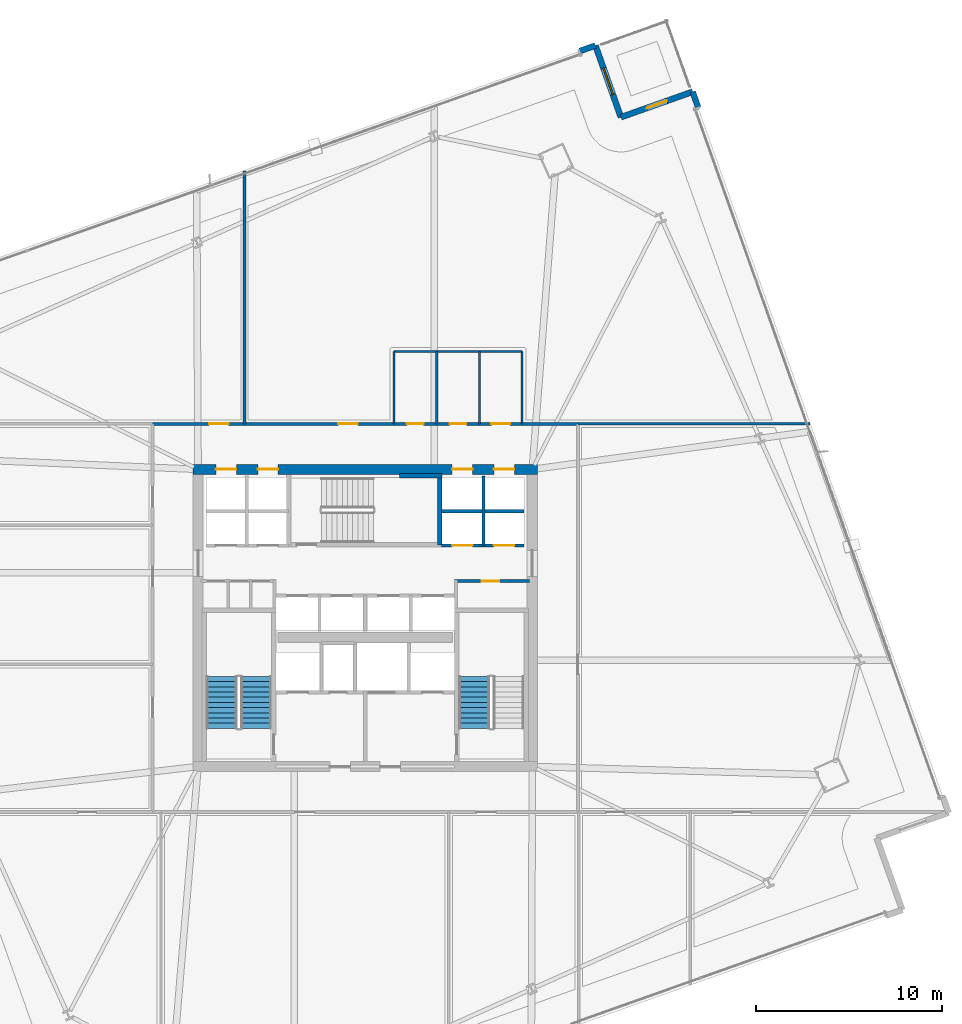
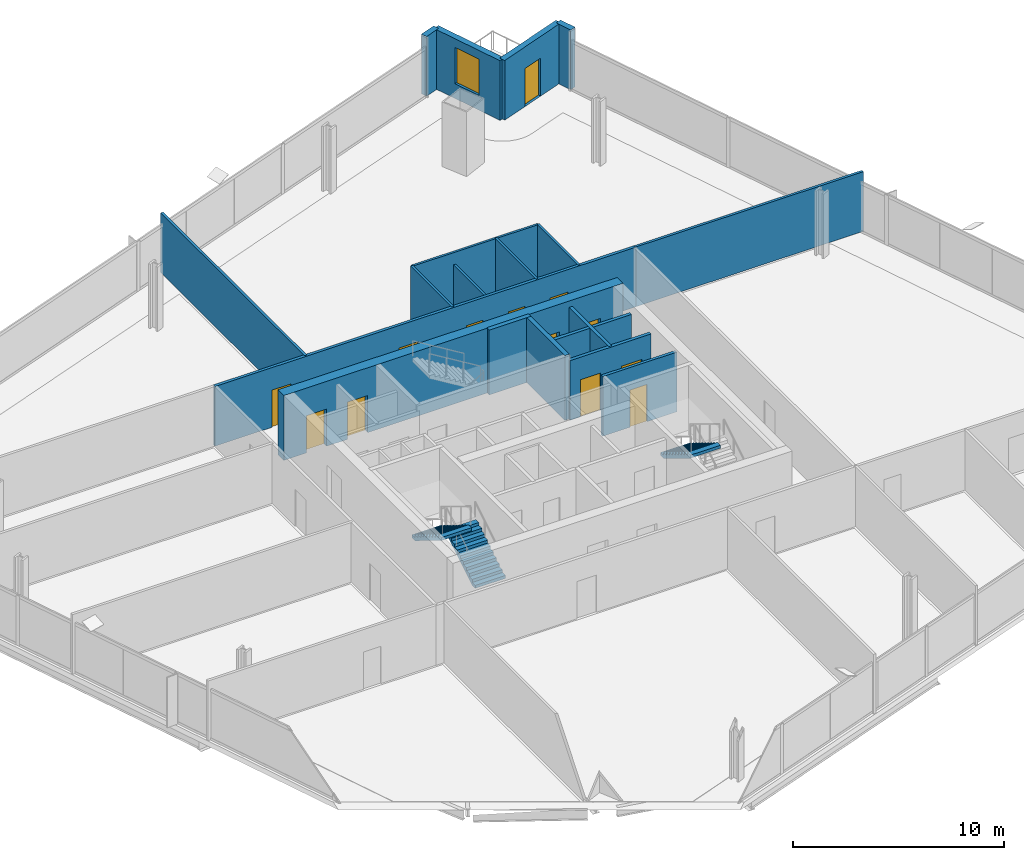
# One storey, part 27 of 33: 19 walls, 13 doors, 3 stair flights, 1 window, 14 openings, 2 elements without a shape of their own.
"""IFC4 building model written with IfcOpenShell, lengths in metres."""

from ifc_helpers import new_model, si_unit, direction, frame, frame_2d, origin, place, context, subcontext, project, spatial, polyline, rectangle, outline, extrude, material, layer, layer_set, type_object, element, fill, aggregate, save


model = new_model("IFC4")

# Units and contexts
model_context = context("Model", 3, precision=1e-05, world=origin(), true_north=direction((0.0, 1.0)))
body_context = subcontext(model_context, "Body", "Model", "MODEL_VIEW")
ifc_project = project(units=[si_unit("LENGTHUNIT", "METRE"), si_unit("AREAUNIT", "SQUARE_METRE"), si_unit("VOLUMEUNIT", "CUBIC_METRE"), si_unit("PLANEANGLEUNIT", "RADIAN"), si_unit("MASSUNIT", "GRAM", prefix="KILO")], contexts=[model_context])

# Site, building, storey
site_placement = place(None, origin())
site = spatial("IfcSite", under=ifc_project, at=site_placement, CompositionType="ELEMENT")
building_placement = place(site_placement, origin())
building = spatial("IfcBuilding", under=site, at=building_placement, Name="Haldenkirk Collegiate Tower", CompositionType="ELEMENT")
storey_placement = place(building_placement, frame((0.0, 0.0, 94.199951171875)))
storey = spatial("IfcBuildingStorey", under=building, at=storey_placement, Name="L22", CompositionType="ELEMENT", Elevation=94.199951171875)

# Wall, openings, doors
ifc_material_1 = material(Name="Concrete f'c 70 MPa", Category="concrete")
ifc_layer_1 = layer(ifc_material_1, 0.550048828125)
ifc_layer_set_1 = layer_set([ifc_layer_1], Name="Concrete f'c 70 MPa")
wall_type_1 = type_object("IfcWallType", Name="WL-CORE-550", PredefinedType="SHEAR", material=ifc_layer_set_1)
wall_1_placement = place(storey_placement, frame((26.72509765625, 34.0, 0.0), z_axis=(0.0, 0.0, 1.0), x_axis=(1.0, 0.0, 0.0)))
wall_1 = element("IfcWall", 1, at=wall_1_placement, inside=storey, type_object=wall_type_1, Name="L22 central core shear wall N", PredefinedType="SHEAR", context=body_context, shape_type="SweptSolid", body=[
    extrude(rectangle(XDim=18.5498046875, YDim=0.550048828125, at=frame_2d((9.27490234375, 0.0))), origin(), (0.0, 0.0, 1.0), 3.75),
])
opening_1_placement = place(wall_1_placement, frame((1.239990234375, 0.0, 0.0)))
opening_1 = element("IfcOpeningElement", 2, at=opening_1_placement, cuts=wall_1, Name="Opening LD-11", PredefinedType="OPENING", context=body_context, shape_type="SweptSolid", body=[
    extrude(rectangle(XDim=1.10009765625, YDim=2.14990234375, at=frame_2d((0.550048828125, 1.074951171875))), frame((0.0, 0.284912109375, 0.0), z_axis=(0.0, -1.0, 0.0), x_axis=(1.0, 0.0, 0.0)), (0.0, 0.0, 1.0), 0.570068359375),
])
opening_2_placement = place(wall_1_placement, frame((3.489990234375, 0.0, 0.0)))
opening_2 = element("IfcOpeningElement", 3, at=opening_2_placement, cuts=wall_1, Name="Opening LD-11", PredefinedType="OPENING", context=body_context, shape_type="SweptSolid", body=[
    extrude(rectangle(XDim=1.10009765625, YDim=2.14990234375, at=frame_2d((0.550048828125, 1.074951171875))), frame((0.0, 0.284912109375, 0.0), z_axis=(0.0, -1.0, 0.0), x_axis=(1.0, 0.0, 0.0)), (0.0, 0.0, 1.0), 0.570068359375),
])
opening_3_placement = place(wall_1_placement, frame((13.9599609375, 0.0, 0.0)))
opening_3 = element("IfcOpeningElement", 4, at=opening_3_placement, cuts=wall_1, Name="Opening LD-11", PredefinedType="OPENING", context=body_context, shape_type="SweptSolid", body=[
    extrude(rectangle(XDim=1.10009765625, YDim=2.14990234375, at=frame_2d((0.550048828125, 1.074951171875))), frame((0.0, 0.284912109375, 0.0), z_axis=(0.0, -1.0, 0.0), x_axis=(1.0, 0.0, 0.0)), (0.0, 0.0, 1.0), 0.570068359375),
])
opening_4_placement = place(wall_1_placement, frame((16.2099609375, 0.0, 0.0)))
opening_4 = element("IfcOpeningElement", 5, at=opening_4_placement, cuts=wall_1, Name="Opening LD-11", PredefinedType="OPENING", context=body_context, shape_type="SweptSolid", body=[
    extrude(rectangle(XDim=1.10009765625, YDim=2.14990234375, at=frame_2d((0.550048828125, 1.074951171875))), frame((0.0, 0.284912109375, 0.0), z_axis=(0.0, -1.0, 0.0), x_axis=(1.0, 0.0, 0.0)), (0.0, 0.0, 1.0), 0.570068359375),
])
ifc_material_2 = material(Name="Brushed architectural stainless steel", Category="steel")
ifc_layer_2 = layer(ifc_material_2, 0.06005859375)
ifc_layer_set_2 = layer_set([ifc_layer_2], Name="Brushed architectural stainless steel")
door_type_1 = type_object("IfcDoorType", Name="LD-PASS-1100", OperationType="NOTDEFINED", PredefinedType="DOOR", material=ifc_layer_set_2)
door_1_placement = place(opening_1_placement, origin())
door_1 = element("IfcDoor", 6, at=door_1_placement, inside=storey, type_object=door_type_1, Name="L22 Elevator PL3 sliding landing door", OperationType="SLIDING_TO_LEFT", OverallHeight=2.14990234375, OverallWidth=1.10009765625, PredefinedType="DOOR", context=body_context, shape_type="SweptSolid", body=[
    extrude(rectangle(XDim=1.10009765625, YDim=2.14990234375, at=frame_2d((0.550048828125, 1.074951171875))), frame((0.0, 0.02490234375, 0.0), z_axis=(0.0, -1.0, 0.0), x_axis=(1.0, 0.0, 0.0)), (0.0, 0.0, 1.0), 0.050048828125),
])
fill(opening_1, door_1)
door_2_placement = place(opening_2_placement, origin())
door_2 = element("IfcDoor", 7, at=door_2_placement, inside=storey, type_object=door_type_1, Name="L22 Elevator PL4 sliding landing door", OperationType="SLIDING_TO_LEFT", OverallHeight=2.14990234375, OverallWidth=1.10009765625, PredefinedType="DOOR", context=body_context, shape_type="SweptSolid", body=[
    extrude(rectangle(XDim=1.10009765625, YDim=2.14990234375, at=frame_2d((0.550048828125, 1.074951171875))), frame((0.0, 0.02490234375, 0.0), z_axis=(0.0, -1.0, 0.0), x_axis=(1.0, 0.0, 0.0)), (0.0, 0.0, 1.0), 0.050048828125),
])
fill(opening_2, door_2)
door_3_placement = place(opening_3_placement, origin())
door_3 = element("IfcDoor", 8, at=door_3_placement, inside=storey, type_object=door_type_1, Name="L22 Elevator PM3 sliding landing door", OperationType="SLIDING_TO_LEFT", OverallHeight=2.14990234375, OverallWidth=1.10009765625, PredefinedType="DOOR", context=body_context, shape_type="SweptSolid", body=[
    extrude(rectangle(XDim=1.10009765625, YDim=2.14990234375, at=frame_2d((0.550048828125, 1.074951171875))), frame((0.0, 0.02490234375, 0.0), z_axis=(0.0, -1.0, 0.0), x_axis=(1.0, 0.0, 0.0)), (0.0, 0.0, 1.0), 0.050048828125),
])
fill(opening_3, door_3)
door_4_placement = place(opening_4_placement, origin())
door_4 = element("IfcDoor", 9, at=door_4_placement, inside=storey, type_object=door_type_1, Name="L22 Elevator PM4 sliding landing door", OperationType="SLIDING_TO_LEFT", OverallHeight=2.14990234375, OverallWidth=1.10009765625, PredefinedType="DOOR", context=body_context, shape_type="SweptSolid", body=[
    extrude(rectangle(XDim=1.10009765625, YDim=2.14990234375, at=frame_2d((0.550048828125, 1.074951171875))), frame((0.0, 0.02490234375, 0.0), z_axis=(0.0, -1.0, 0.0), x_axis=(1.0, 0.0, 0.0)), (0.0, 0.0, 1.0), 0.050048828125),
])
fill(opening_4, door_4)

# Wall
ifc_material_3 = material(Name="Precast concrete f'c 40 MPa", Category="concrete")
ifc_layer_3 = layer(ifc_material_3, 0.320068359375)
ifc_layer_set_3 = layer_set([ifc_layer_3], Name="Precast concrete f'c 40 MPa")
wall_type_2 = type_object("IfcWallType", Name="WL-EXT-TWR-320", PredefinedType="STANDARD", material=ifc_layer_set_3)
wall_2_placement = place(storey_placement, frame((53.635009765625, 54.334716796875, 0.0), z_axis=(0.0, 0.0, 1.0), x_axis=(0.334720684813, -0.942317389821, 0.0)))
element("IfcWall", 10, at=wall_2_placement, inside=storey, type_object=wall_type_2, Name="L22 precast corner pier EL", PredefinedType="STANDARD", context=body_context, shape_type="SweptSolid", body=[
    extrude(rectangle(XDim=0.900146484375, YDim=0.320068359375, at=frame_2d((0.4501953125, 0.0))), origin(), (0.0, 0.0, 1.0), 3.449951171875),
])

# Wall, opening, door
wall_3_placement = place(storey_placement, frame((49.771484375, 52.962646484375, 0.0), z_axis=(0.0, 0.0, 1.0), x_axis=(0.942339932664, 0.334657214633, 0.0)))
wall_3 = element("IfcWall", 11, at=wall_3_placement, inside=storey, type_object=wall_type_2, Name="L22 bronze precast notch wall 05", PredefinedType="STANDARD", context=body_context, shape_type="SweptSolid", body=[
    extrude(rectangle(XDim=4.099853515625, YDim=0.320068359375, at=frame_2d((2.0498046875, 0.0))), origin(), (0.0, 0.0, 1.0), 3.449951171875),
])
opening_5_placement = place(wall_3_placement, frame((1.47509765625, 0.0, 0.0)))
opening_5 = element("IfcOpeningElement", 12, at=opening_5_placement, cuts=wall_3, Name="Opening D-ST11", PredefinedType="OPENING", context=body_context, shape_type="SweptSolid", body=[
    extrude(rectangle(XDim=1.14990234375, YDim=2.199951171875, at=frame_2d((0.574951171875, 1.10009765625))), frame((0.0, 0.169921875, 0.0), z_axis=(0.0, -1.0, 0.0), x_axis=(1.0, 0.0, 0.0)), (0.0, 0.0, 1.0), 0.340087890625),
])
ifc_material_4 = material(Name="Anodised architectural bronze aluminium", Category="aluminium")
ifc_layer_4 = layer(ifc_material_4, 0.080078125)
ifc_layer_set_4 = layer_set([ifc_layer_4], Name="Anodised architectural bronze aluminium")
door_type_2 = type_object("IfcDoorType", Name="DR-EXT-STER-1150", OperationType="NOTDEFINED", PredefinedType="DOOR", material=ifc_layer_set_4)
door_5_placement = place(opening_5_placement, origin())
door_5 = element("IfcDoor", 13, at=door_5_placement, inside=storey, type_object=door_type_2, Name="L22 spiralling terrace door", OperationType="SINGLE_SWING_LEFT", OverallHeight=2.199951171875, OverallWidth=1.14990234375, PredefinedType="DOOR", context=body_context, shape_type="SweptSolid", body=[
    extrude(rectangle(XDim=1.14990234375, YDim=2.199951171875, at=frame_2d((0.574951171875, 1.10009765625))), frame((0.0, 0.02490234375, 0.0), z_axis=(0.0, -1.0, 0.0), x_axis=(1.0, 0.0, 0.0)), (0.0, 0.0, 1.0), 0.050048828125),
])
fill(opening_5, door_5)

# Wall, opening, window
wall_4_placement = place(storey_placement, frame((48.3994140625, 56.826416015625, 0.0), z_axis=(0.0, 0.0, 1.0), x_axis=(0.334638436655, -0.942346601157, 0.0)))
wall_4 = element("IfcWall", 14, at=wall_4_placement, inside=storey, type_object=wall_type_2, Name="L22 bronze precast notch wall 06", PredefinedType="STANDARD", context=body_context, shape_type="SweptSolid", body=[
    extrude(rectangle(XDim=4.10009765625, YDim=0.320068359375, at=frame_2d((2.050048828125, 0.0))), origin(), (0.0, 0.0, 1.0), 3.449951171875),
])
opening_6_placement = place(wall_4_placement, frame((1.300048828125, 0.0, 0.85009765625)))
opening_6 = element("IfcOpeningElement", 15, at=opening_6_placement, cuts=wall_4, Name="Opening W-04", PredefinedType="OPENING", context=body_context, shape_type="SweptSolid", body=[
    extrude(rectangle(XDim=1.5, YDim=2.10009765625, at=frame_2d((0.75, 1.050048828125))), frame((0.0, 0.169921875, 0.0), z_axis=(0.0, -1.0, 0.0), x_axis=(1.0, 0.0, 0.0)), (0.0, 0.0, 1.0), 0.340087890625),
])
ifc_material_5 = material(Name="Low-E argon triple insulating glass", Category="glass")
ifc_layer_5 = layer(ifc_material_5, 0.090087890625)
ifc_layer_set_5 = layer_set([ifc_layer_5], Name="Low-E argon triple insulating glass")
window_type = type_object("IfcWindowType", Name="WN-Z2-1500X2100", PartitioningType="SINGLE_PANEL", PredefinedType="WINDOW", material=ifc_layer_set_5)
window_placement = place(opening_6_placement, origin())
window = element("IfcWindow", 16, at=window_placement, inside=storey, type_object=window_type, Name="L22 precast-frame academic window 5", OverallHeight=2.10009765625, OverallWidth=1.5, PartitioningType="SINGLE_PANEL", PredefinedType="WINDOW", context=body_context, shape_type="SweptSolid", body=[
    extrude(rectangle(XDim=1.5, YDim=2.10009765625, at=frame_2d((0.75, 1.050048828125))), frame((0.0, 0.030029296875, 0.0), z_axis=(0.0, -1.0, 0.0), x_axis=(1.0, 0.0, 0.0)), (0.0, 0.0, 1.0), 0.06005859375),
])
fill(opening_6, window)

# Wall
wall_5_placement = place(storey_placement, frame((47.55126953125, 56.525146484375, 0.0), z_axis=(0.0, 0.0, 1.0), x_axis=(0.942317389821, 0.334720684813, 0.0)))
element("IfcWall", 17, at=wall_5_placement, inside=storey, type_object=wall_type_2, Name="L22 precast corner pier NR", PredefinedType="STANDARD", context=body_context, shape_type="SweptSolid", body=[
    extrude(rectangle(XDim=0.900146484375, YDim=0.320068359375, at=frame_2d((0.4501953125, 0.0))), origin(), (0.0, 0.0, 1.0), 3.449951171875),
])

# Wall, opening, door
ifc_material_6 = material(Name="Acoustic fire-rated gypsum partition", Category="concrete")
ifc_layer_6 = layer(ifc_material_6, 0.159912109375)
ifc_layer_set_6 = layer_set([ifc_layer_6], Name="Acoustic fire-rated gypsum partition")
wall_type_3 = type_object("IfcWallType", Name="WL-INT-CORR-160", PredefinedType="PARTITIONING", material=ifc_layer_set_6)
wall_6_placement = place(storey_placement, frame((40.800048828125, 27.97998046875, 0.0), z_axis=(0.0, 0.0, 1.0), x_axis=(1.0, 0.0, 0.0)))
wall_6 = element("IfcWall", 18, at=wall_6_placement, inside=storey, type_object=wall_type_3, Name="L22 interior partition IW-L22-VCSE-N", PredefinedType="PARTITIONING", context=body_context, shape_type="SweptSolid", body=[
    extrude(rectangle(XDim=4.050048828125, YDim=0.159912109375, at=frame_2d((2.02490234375, 0.0))), origin(), (0.0, 0.0, 1.0), 3.449951171875),
])
opening_7_placement = place(wall_6_placement, frame((1.47509765625, 0.0, 0.0)))
opening_7 = element("IfcOpeningElement", 19, at=opening_7_placement, cuts=wall_6, Name="Opening D-10", PredefinedType="OPENING", context=body_context, shape_type="SweptSolid", body=[
    extrude(rectangle(XDim=0.949951171875, YDim=2.14990234375, at=frame_2d((0.47509765625, 1.074951171875))), frame((0.0, 0.08984375, 0.0), z_axis=(0.0, -1.0, 0.0), x_axis=(1.0, 0.0, 0.0)), (0.0, 0.0, 1.0), 0.179931640625),
])
ifc_material_7 = material(Name="Solid-core architectural oak fire door", Category="wood")
ifc_layer_7 = layer(ifc_material_7, 0.06005859375)
ifc_layer_set_7 = layer_set([ifc_layer_7], Name="Solid-core architectural oak fire door")
door_type_3 = type_object("IfcDoorType", Name="DR-INT-FD60-950", OperationType="NOTDEFINED", PredefinedType="DOOR", material=ifc_layer_set_7)
door_6_placement = place(opening_7_placement, origin())
door_6 = element("IfcDoor", 20, at=door_6_placement, inside=storey, type_object=door_type_3, Name="L22 core archive vault door", OperationType="SINGLE_SWING_LEFT", OverallHeight=2.14990234375, OverallWidth=0.949951171875, PredefinedType="DOOR", context=body_context, shape_type="SweptSolid", body=[
    extrude(rectangle(XDim=0.949951171875, YDim=2.14990234375, at=frame_2d((0.47509765625, 1.074951171875))), frame((0.0, 0.02490234375, 0.0), z_axis=(0.0, -1.0, 0.0), x_axis=(1.0, 0.0, 0.0)), (0.0, 0.0, 1.0), 0.050048828125),
])
fill(opening_7, door_6)

# Wall, openings, doors
wall_7_placement = place(storey_placement, frame((24.5, 36.449951171875, 0.0), z_axis=(0.0, 0.0, 1.0), x_axis=(1.0, 0.0, 0.0)))
wall_7 = element("IfcWall", 21, at=wall_7_placement, inside=storey, type_object=wall_type_3, Name="L22 interior partition IW-L22-CN", PredefinedType="PARTITIONING", context=body_context, shape_type="SweptSolid", body=[
    extrude(rectangle(XDim=23.0, YDim=0.159912109375, at=frame_2d((11.5, 0.0))), origin(), (0.0, 0.0, 1.0), 3.449951171875),
])
opening_8_placement = place(wall_7_placement, frame((13.75, 0.0, 0.0)))
opening_8 = element("IfcOpeningElement", 22, at=opening_8_placement, cuts=wall_7, Name="Opening D-13", PredefinedType="OPENING", context=body_context, shape_type="SweptSolid", body=[
    extrude(rectangle(XDim=0.89990234375, YDim=2.14990234375, at=frame_2d((0.449951171875, 1.074951171875))), frame((0.0, 0.08984375, 0.0), z_axis=(0.0, -1.0, 0.0), x_axis=(1.0, 0.0, 0.0)), (0.0, 0.0, 1.0), 0.179931640625),
])
opening_9_placement = place(wall_7_placement, frame((16.050048828125, 0.0, 0.0)))
opening_9 = element("IfcOpeningElement", 23, at=opening_9_placement, cuts=wall_7, Name="Opening D-13", PredefinedType="OPENING", context=body_context, shape_type="SweptSolid", body=[
    extrude(rectangle(XDim=0.89990234375, YDim=2.14990234375, at=frame_2d((0.449951171875, 1.074951171875))), frame((0.0, 0.08984375, 0.0), z_axis=(0.0, -1.0, 0.0), x_axis=(1.0, 0.0, 0.0)), (0.0, 0.0, 1.0), 0.179931640625),
])
opening_10_placement = place(wall_7_placement, frame((18.300048828125, 0.0, 0.0)))
opening_10 = element("IfcOpeningElement", 24, at=opening_10_placement, cuts=wall_7, Name="Opening D-14", PredefinedType="OPENING", context=body_context, shape_type="SweptSolid", body=[
    extrude(rectangle(XDim=1.0, YDim=2.14990234375, at=frame_2d((0.5, 1.074951171875))), frame((0.0, 0.08984375, 0.0), z_axis=(0.0, -1.0, 0.0), x_axis=(1.0, 0.0, 0.0)), (0.0, 0.0, 1.0), 0.179931640625),
])
opening_11_placement = place(wall_7_placement, frame((3.10107421875, 0.0, 0.0)))
opening_11 = element("IfcOpeningElement", 25, at=opening_11_placement, cuts=wall_7, Name="Opening D-09", PredefinedType="OPENING", context=body_context, shape_type="SweptSolid", body=[
    extrude(rectangle(XDim=1.050048828125, YDim=2.14990234375, at=frame_2d((0.52490234375, 1.074951171875))), frame((0.0, 0.08984375, 0.0), z_axis=(0.0, -1.0, 0.0), x_axis=(1.0, 0.0, 0.0)), (0.0, 0.0, 1.0), 0.179931640625),
])
opening_12_placement = place(wall_7_placement, frame((10.054931640625, 0.0, 0.0)))
opening_12 = element("IfcOpeningElement", 26, at=opening_12_placement, cuts=wall_7, Name="Opening D-09", PredefinedType="OPENING", context=body_context, shape_type="SweptSolid", body=[
    extrude(rectangle(XDim=1.050048828125, YDim=2.14990234375, at=frame_2d((0.52490234375, 1.074951171875))), frame((0.0, 0.08984375, 0.0), z_axis=(0.0, -1.0, 0.0), x_axis=(1.0, 0.0, 0.0)), (0.0, 0.0, 1.0), 0.179931640625),
])
ifc_layer_8 = layer(ifc_material_7, 0.06005859375)
ifc_layer_set_8 = layer_set([ifc_layer_8], Name="Solid-core architectural oak fire door")
door_type_4 = type_object("IfcDoorType", Name="DR-INT-ACC-1000", OperationType="NOTDEFINED", PredefinedType="DOOR", material=ifc_layer_set_8)
door_7_placement = place(opening_10_placement, origin())
door_7 = element("IfcDoor", 27, at=door_7_placement, inside=storey, type_object=door_type_4, Name="L22 Accessible WC door", OperationType="SINGLE_SWING_RIGHT", OverallHeight=2.14990234375, OverallWidth=1.0, PredefinedType="DOOR", context=body_context, shape_type="SweptSolid", body=[
    extrude(rectangle(XDim=1.0, YDim=2.14990234375, at=frame_2d((0.5, 1.074951171875))), frame((0.0, 0.02490234375, 0.0), z_axis=(0.0, -1.0, 0.0), x_axis=(1.0, 0.0, 0.0)), (0.0, 0.0, 1.0), 0.050048828125),
])
fill(opening_10, door_7)
ifc_layer_9 = layer(ifc_material_7, 0.06005859375)
ifc_layer_set_9 = layer_set([ifc_layer_9], Name="Solid-core architectural oak fire door")
door_type_5 = type_object("IfcDoorType", Name="DR-INT-FD60-1050", OperationType="NOTDEFINED", PredefinedType="DOOR", material=ifc_layer_set_9)
door_8_placement = place(opening_11_placement, origin())
door_8 = element("IfcDoor", 28, at=door_8_placement, inside=storey, type_object=door_type_5, Name="L22 Tutorial Seminar Room 6 door", OperationType="SINGLE_SWING_RIGHT", OverallHeight=2.14990234375, OverallWidth=1.050048828125, PredefinedType="DOOR", context=body_context, shape_type="SweptSolid", body=[
    extrude(rectangle(XDim=1.050048828125, YDim=2.14990234375, at=frame_2d((0.52490234375, 1.074951171875))), frame((0.0, 0.02490234375, 0.0), z_axis=(0.0, -1.0, 0.0), x_axis=(1.0, 0.0, 0.0)), (0.0, 0.0, 1.0), 0.050048828125),
])
fill(opening_11, door_8)
door_9_placement = place(opening_12_placement, origin())
door_9 = element("IfcDoor", 29, at=door_9_placement, inside=storey, type_object=door_type_5, Name="L22 Faculty Office 7 door", OperationType="SINGLE_SWING_LEFT", OverallHeight=2.14990234375, OverallWidth=1.050048828125, PredefinedType="DOOR", context=body_context, shape_type="SweptSolid", body=[
    extrude(rectangle(XDim=1.050048828125, YDim=2.14990234375, at=frame_2d((0.52490234375, 1.074951171875))), frame((0.0, 0.02490234375, 0.0), z_axis=(0.0, -1.0, 0.0), x_axis=(1.0, 0.0, 0.0)), (0.0, 0.0, 1.0), 0.050048828125),
])
fill(opening_12, door_9)
ifc_layer_10 = layer(ifc_material_7, 0.06005859375)
ifc_layer_set_10 = layer_set([ifc_layer_10], Name="Solid-core architectural oak fire door")
door_type_6 = type_object("IfcDoorType", Name="DR-INT-STD-900", OperationType="NOTDEFINED", PredefinedType="DOOR", material=ifc_layer_set_10)
door_10_placement = place(opening_8_placement, origin())
door_10 = element("IfcDoor", 30, at=door_10_placement, inside=storey, type_object=door_type_6, Name="L22 Male WC door", OperationType="SINGLE_SWING_RIGHT", OverallHeight=2.14990234375, OverallWidth=0.89990234375, PredefinedType="DOOR", context=body_context, shape_type="SweptSolid", body=[
    extrude(rectangle(XDim=0.89990234375, YDim=2.14990234375, at=frame_2d((0.449951171875, 1.074951171875))), frame((0.0, 0.02490234375, 0.0), z_axis=(0.0, -1.0, 0.0), x_axis=(1.0, 0.0, 0.0)), (0.0, 0.0, 1.0), 0.050048828125),
])
fill(opening_8, door_10)
door_11_placement = place(opening_9_placement, origin())
door_11 = element("IfcDoor", 31, at=door_11_placement, inside=storey, type_object=door_type_6, Name="L22 Female WC door", OperationType="SINGLE_SWING_LEFT", OverallHeight=2.14990234375, OverallWidth=0.89990234375, PredefinedType="DOOR", context=body_context, shape_type="SweptSolid", body=[
    extrude(rectangle(XDim=0.89990234375, YDim=2.14990234375, at=frame_2d((0.449951171875, 1.074951171875))), frame((0.0, 0.02490234375, 0.0), z_axis=(0.0, -1.0, 0.0), x_axis=(1.0, 0.0, 0.0)), (0.0, 0.0, 1.0), 0.050048828125),
])
fill(opening_9, door_11)

# Walls
ifc_layer_11 = layer(ifc_material_6, 0.139892578125)
ifc_layer_set_11 = layer_set([ifc_layer_11], Name="Acoustic fire-rated gypsum partition")
wall_type_4 = type_object("IfcWallType", Name="WL-INT-DIV-140", PredefinedType="PARTITIONING", material=ifc_layer_set_11)
wall_8_placement = place(storey_placement, frame((47.449951171875, 36.449951171875, 0.0), z_axis=(0.0, 0.0, 1.0), x_axis=(1.0, 0.0, 0.0)))
element("IfcWall", 32, at=wall_8_placement, inside=storey, type_object=wall_type_4, Name="L22 interior partition IW-L22-BEN", PredefinedType="PARTITIONING", context=body_context, shape_type="SweptSolid", body=[
    extrude(rectangle(XDim=12.49365234375, YDim=0.139892578125, at=frame_2d((6.246826171875, 0.0))), origin(), (0.0, 0.0, 1.0), 3.449951171875),
])
wall_9_placement = place(storey_placement, frame((29.5, 36.449951171875, 0.0), z_axis=(0.0, 0.0, 1.0), x_axis=(0.0, 1.0, 0.0)))
element("IfcWall", 33, at=wall_9_placement, inside=storey, type_object=wall_type_4, Name="L22 interior partition IW-L22-RN1", PredefinedType="PARTITIONING", context=body_context, shape_type="SweptSolid", body=[
    extrude(rectangle(XDim=13.622802734375, YDim=0.139892578125, at=frame_2d((6.8115234375, 0.0))), origin(), (0.0, 0.0, 1.0), 3.449951171875),
])

# Wall, openings, doors
ifc_material_8 = material(Name="Fire-rated gypsum shaftboard assembly", Category="concrete")
ifc_layer_12 = layer(ifc_material_8, 0.179931640625)
ifc_layer_set_12 = layer_set([ifc_layer_12], Name="Fire-rated gypsum shaftboard assembly")
wall_type_5 = type_object("IfcWallType", Name="WL-INT-SHAFT-180", PredefinedType="PARTITIONING", material=ifc_layer_set_12)
wall_10_placement = place(storey_placement, frame((40.1201171875, 29.89990234375, 0.0), z_axis=(0.0, 0.0, 1.0), x_axis=(1.0, 0.0, 0.0)))
wall_10 = element("IfcWall", 34, at=wall_10_placement, inside=storey, type_object=wall_type_5, Name="L22 interior partition IW-L22-PMS", PredefinedType="PARTITIONING", context=body_context, shape_type="SweptSolid", body=[
    extrude(rectangle(XDim=4.429931640625, YDim=0.179931640625, at=frame_2d((2.21484375, 0.0))), origin(), (0.0, 0.0, 1.0), 3.449951171875),
])
opening_13_placement = place(wall_10_placement, frame((0.56494140625, 0.0, 0.0)))
opening_13 = element("IfcOpeningElement", 35, at=opening_13_placement, cuts=wall_10, Name="Opening LD-11", PredefinedType="OPENING", context=body_context, shape_type="SweptSolid", body=[
    extrude(rectangle(XDim=1.10009765625, YDim=2.14990234375, at=frame_2d((0.550048828125, 1.074951171875))), frame((0.0, 0.099853515625, 0.0), z_axis=(0.0, -1.0, 0.0), x_axis=(1.0, 0.0, 0.0)), (0.0, 0.0, 1.0), 0.199951171875),
])
opening_14_placement = place(wall_10_placement, frame((2.81494140625, 0.0, 0.0)))
opening_14 = element("IfcOpeningElement", 36, at=opening_14_placement, cuts=wall_10, Name="Opening LD-11", PredefinedType="OPENING", context=body_context, shape_type="SweptSolid", body=[
    extrude(rectangle(XDim=1.10009765625, YDim=2.14990234375, at=frame_2d((0.550048828125, 1.074951171875))), frame((0.0, 0.099853515625, 0.0), z_axis=(0.0, -1.0, 0.0), x_axis=(1.0, 0.0, 0.0)), (0.0, 0.0, 1.0), 0.199951171875),
])
door_12_placement = place(opening_13_placement, origin())
door_12 = element("IfcDoor", 37, at=door_12_placement, inside=storey, type_object=door_type_1, Name="L22 Elevator PM1 sliding landing door", OperationType="SLIDING_TO_LEFT", OverallHeight=2.14990234375, OverallWidth=1.10009765625, PredefinedType="DOOR", context=body_context, shape_type="SweptSolid", body=[
    extrude(rectangle(XDim=1.10009765625, YDim=2.14990234375, at=frame_2d((0.550048828125, 1.074951171875))), frame((0.0, 0.02490234375, 0.0), z_axis=(0.0, -1.0, 0.0), x_axis=(1.0, 0.0, 0.0)), (0.0, 0.0, 1.0), 0.050048828125),
])
fill(opening_13, door_12)
door_13_placement = place(opening_14_placement, origin())
door_13 = element("IfcDoor", 38, at=door_13_placement, inside=storey, type_object=door_type_1, Name="L22 Elevator PM2 sliding landing door", OperationType="SLIDING_TO_LEFT", OverallHeight=2.14990234375, OverallWidth=1.10009765625, PredefinedType="DOOR", context=body_context, shape_type="SweptSolid", body=[
    extrude(rectangle(XDim=1.10009765625, YDim=2.14990234375, at=frame_2d((0.550048828125, 1.074951171875))), frame((0.0, 0.02490234375, 0.0), z_axis=(0.0, -1.0, 0.0), x_axis=(1.0, 0.0, 0.0)), (0.0, 0.0, 1.0), 0.050048828125),
])
fill(opening_14, door_13)

# Walls
wall_11_placement = place(storey_placement, frame((40.1201171875, 31.75, 0.0), z_axis=(0.0, 0.0, 1.0), x_axis=(1.0, 0.0, 0.0)))
element("IfcWall", 39, at=wall_11_placement, inside=storey, type_object=wall_type_5, Name="L22 interior partition IW-L22-PMM", PredefinedType="PARTITIONING", context=body_context, shape_type="SweptSolid", body=[
    extrude(rectangle(XDim=4.429931640625, YDim=0.179931640625, at=frame_2d((2.21484375, 0.0))), origin(), (0.0, 0.0, 1.0), 3.449951171875),
])
wall_12_placement = place(storey_placement, frame((42.3701171875, 29.89990234375, 0.0), z_axis=(0.0, 0.0, 1.0), x_axis=(0.0, 1.0, 0.0)))
element("IfcWall", 40, at=wall_12_placement, inside=storey, type_object=wall_type_5, Name="L22 interior partition IW-L22-PMV", PredefinedType="PARTITIONING", context=body_context, shape_type="SweptSolid", body=[
    extrude(rectangle(XDim=3.75, YDim=0.179931640625, at=frame_2d((1.875, 0.0))), origin(), (0.0, 0.0, 1.0), 3.449951171875),
])
ifc_layer_13 = layer(ifc_material_6, 0.1201171875)
ifc_layer_set_13 = layer_set([ifc_layer_13], Name="Acoustic fire-rated gypsum partition")
wall_type_6 = type_object("IfcWallType", Name="WL-INT-WET-120", PredefinedType="PARTITIONING", material=ifc_layer_set_13)
wall_13_placement = place(storey_placement, frame((37.550048828125, 36.449951171875, 0.0), z_axis=(0.0, 0.0, 1.0), x_axis=(0.0, 1.0, 0.0)))
element("IfcWall", 41, at=wall_13_placement, inside=storey, type_object=wall_type_6, Name="L22 interior partition IW-L22-WCW", PredefinedType="PARTITIONING", context=body_context, shape_type="SweptSolid", body=[
    extrude(rectangle(XDim=3.900146484375, YDim=0.1201171875, at=frame_2d((1.9501953125, 0.0))), origin(), (0.0, 0.0, 1.0), 3.449951171875),
])
wall_14_placement = place(storey_placement, frame((39.85009765625, 36.449951171875, 0.0), z_axis=(0.0, 0.0, 1.0), x_axis=(0.0, 1.0, 0.0)))
element("IfcWall", 42, at=wall_14_placement, inside=storey, type_object=wall_type_6, Name="L22 interior partition IW-L22-WC1", PredefinedType="PARTITIONING", context=body_context, shape_type="SweptSolid", body=[
    extrude(rectangle(XDim=3.900146484375, YDim=0.1201171875, at=frame_2d((1.9501953125, 0.0))), origin(), (0.0, 0.0, 1.0), 2.7490234375),
])
for number, where, z_axis, x_axis, name in (
    (43, (42.14990234375, 36.449951171875, 0.0), (0.0, 0.0, 1.0), (0.0, 1.0, 0.0), "L22 interior partition IW-L22-WC2"),
    (44, (44.449951171875, 36.449951171875, 0.0), (0.0, 0.0, 1.0), (0.0, 1.0, 0.0), "L22 interior partition IW-L22-WCE"),
):
    element("IfcWall", number, at=place(storey_placement, frame(where, z_axis=z_axis, x_axis=x_axis)), inside=storey, type_object=wall_type_6, Name=name, PredefinedType="PARTITIONING", context=body_context, shape_type="SweptSolid", body=[
        extrude(rectangle(XDim=3.900146484375, YDim=0.1201171875, at=frame_2d((1.9501953125, 0.0))), origin(), (0.0, 0.0, 1.0), 3.449951171875),
    ])
wall_15_placement = place(storey_placement, frame((37.550048828125, 40.35009765625, 0.0), z_axis=(0.0, 0.0, 1.0), x_axis=(1.0, 0.0, 0.0)))
element("IfcWall", 45, at=wall_15_placement, inside=storey, type_object=wall_type_6, Name="L22 interior partition IW-L22-WCB", PredefinedType="PARTITIONING", context=body_context, shape_type="SweptSolid", body=[
    extrude(rectangle(XDim=6.89990234375, YDim=0.1201171875, at=frame_2d((3.449951171875, 0.0))), origin(), (0.0, 0.0, 1.0), 3.449951171875),
])
ifc_material_9 = material(Name="Concrete f'c 55 MPa", Category="concrete")
ifc_layer_14 = layer(ifc_material_9, 0.239990234375)
ifc_layer_set_14 = layer_set([ifc_layer_14], Name="Concrete f'c 55 MPa")
wall_type_7 = type_object("IfcWallType", Name="WL-SHAFT-240", PredefinedType="SHEAR", material=ifc_layer_set_14)
wall_16_placement = place(storey_placement, frame((40.02001953125, 29.929931640625, 0.0), z_axis=(0.0, 0.0, 1.0), x_axis=(0.0, 1.0, 0.0)))
element("IfcWall", 46, at=wall_16_placement, inside=storey, type_object=wall_type_7, Name="L22 stair shaft shear wall SW-L22-ST3E", PredefinedType="SHEAR", context=body_context, shape_type="SweptSolid", body=[
    extrude(rectangle(XDim=3.85009765625, YDim=0.239990234375, at=frame_2d((1.925048828125, 0.0))), origin(), (0.0, 0.0, 1.0), 3.75),
])
wall_17_placement = place(storey_placement, frame((37.85009765625, 33.659912109375, 0.0), z_axis=(0.0, 0.0, 1.0), x_axis=(1.0, 0.0, 0.0)))
element("IfcWall", 47, at=wall_17_placement, inside=storey, type_object=wall_type_7, Name="L22 stair shaft shear wall SW-L22-ST3N", PredefinedType="SHEAR", context=body_context, shape_type="SweptSolid", body=[
    extrude(rectangle(XDim=2.289794921875, YDim=0.239990234375, at=frame_2d((1.14501953125, 0.0))), origin(), (0.0, 0.0, 1.0), 3.75),
])

# Stair, stair flights
ifc_material_10 = material(Name="Concrete f'c 40 MPa", Category="concrete")
stair_type = type_object("IfcStairType", Name="STR-DOGLEG-1650", PredefinedType="HALF_TURN_STAIR", material=ifc_material_10)
stair_1_placement = place(storey_placement, origin())
stair_1 = element("IfcStair", 48, at=stair_1_placement, inside=storey, type_object=stair_type, Name="L22 Core Exit Stair ST-1", PredefinedType="HALF_TURN_STAIR")
stair_flight_type = type_object("IfcStairFlightType", Name="STF-FLIGHT-1650", PredefinedType="STRAIGHT", material=ifc_material_10)
stair_flight_1_placement = place(storey_placement, frame((30.125, 20.050048828125, 0.0), z_axis=(0.0, 0.0, 1.0), x_axis=(0.0, 1.0, 0.0)))
stair_flight_1 = element("IfcStairFlight", 49, at=stair_flight_1_placement, type_object=stair_flight_type, Name="ST-1 flight 1", NumberOfRisers=11, NumberOfTreads=10, PredefinedType="STRAIGHT", RiserHeight=0.170454545, TreadLength=0.28, context=body_context, shape_type="SweptSolid", body=[
    extrude(outline(polyline([(0.0, 0.0), (0.0, 0.17041015625), (0.280029296875, 0.17041015625), (0.280029296875, 0.3408203125), (0.56005859375, 0.3408203125), (0.56005859375, 0.511474609375), (0.840087890625, 0.511474609375), (0.840087890625, 0.681884765625), (1.1201171875, 0.681884765625), (1.1201171875, 0.852294921875), (1.39990234375, 0.852294921875), (1.39990234375, 1.022705078125), (1.679931640625, 1.022705078125), (1.679931640625, 1.193115234375), (1.9599609375, 1.193115234375), (1.9599609375, 1.363525390625), (2.239990234375, 1.363525390625), (2.239990234375, 1.5341796875), (2.52001953125, 1.5341796875), (2.52001953125, 1.70458984375), (2.800048828125, 1.70458984375), (2.800048828125, 1.875), (2.800048828125, 1.529052734375), (0.288330078125, 0.0), (0.0, 0.0)])), frame((0.0, 0.824951171875, 0.0), z_axis=(0.0, -1.0, 0.0), x_axis=(1.0, 0.0, 0.0)), (0.0, 0.0, 1.0), 1.64990234375),
])
stair_flight_2_placement = place(storey_placement, frame((28.27490234375, 22.85009765625, 1.875), z_axis=(0.0, 0.0, 1.0), x_axis=(0.0, -1.0, 0.0)))
stair_flight_2 = element("IfcStairFlight", 50, at=stair_flight_2_placement, type_object=stair_flight_type, Name="ST-1 flight 2", NumberOfRisers=11, NumberOfTreads=10, PredefinedType="STRAIGHT", RiserHeight=0.170454545, TreadLength=0.28, context=body_context, shape_type="SweptSolid", body=[
    extrude(outline(polyline([(0.0, 0.0), (0.0, 0.17041015625), (0.280029296875, 0.17041015625), (0.280029296875, 0.3408203125), (0.56005859375, 0.3408203125), (0.56005859375, 0.511474609375), (0.840087890625, 0.511474609375), (0.840087890625, 0.681884765625), (1.1201171875, 0.681884765625), (1.1201171875, 0.852294921875), (1.39990234375, 0.852294921875), (1.39990234375, 1.022705078125), (1.679931640625, 1.022705078125), (1.679931640625, 1.193115234375), (1.9599609375, 1.193115234375), (1.9599609375, 1.363525390625), (2.239990234375, 1.363525390625), (2.239990234375, 1.5341796875), (2.52001953125, 1.5341796875), (2.52001953125, 1.70458984375), (2.800048828125, 1.70458984375), (2.800048828125, 1.875), (2.800048828125, 1.529052734375), (0.288330078125, 0.0), (0.0, 0.0)])), frame((0.0, 0.824951171875, 0.0), z_axis=(0.0, -1.0, 0.0), x_axis=(1.0, 0.0, 0.0)), (0.0, 0.0, 1.0), 1.64990234375),
])
aggregate(stair_1, [stair_flight_1, stair_flight_2])

# Stair, stair flight
stair_2_placement = place(storey_placement, origin())
stair_2 = element("IfcStair", 51, at=stair_2_placement, inside=storey, type_object=stair_type, Name="L22 Core Exit Stair ST-2", PredefinedType="HALF_TURN_STAIR")
stair_flight_3_placement = place(storey_placement, frame((41.875, 22.85009765625, 1.875), z_axis=(0.0, 0.0, 1.0), x_axis=(0.0, -1.0, 0.0)))
stair_flight_3 = element("IfcStairFlight", 52, at=stair_flight_3_placement, type_object=stair_flight_type, Name="ST-2 flight 2", NumberOfRisers=11, NumberOfTreads=10, PredefinedType="STRAIGHT", RiserHeight=0.170454545, TreadLength=0.28, context=body_context, shape_type="SweptSolid", body=[
    extrude(outline(polyline([(0.0, 0.0), (0.0, 0.17041015625), (0.280029296875, 0.17041015625), (0.280029296875, 0.3408203125), (0.56005859375, 0.3408203125), (0.56005859375, 0.511474609375), (0.840087890625, 0.511474609375), (0.840087890625, 0.681884765625), (1.1201171875, 0.681884765625), (1.1201171875, 0.852294921875), (1.39990234375, 0.852294921875), (1.39990234375, 1.022705078125), (1.679931640625, 1.022705078125), (1.679931640625, 1.193115234375), (1.9599609375, 1.193115234375), (1.9599609375, 1.363525390625), (2.239990234375, 1.363525390625), (2.239990234375, 1.5341796875), (2.52001953125, 1.5341796875), (2.52001953125, 1.70458984375), (2.800048828125, 1.70458984375), (2.800048828125, 1.875), (2.800048828125, 1.529052734375), (0.288330078125, 0.0), (0.0, 0.0)])), frame((0.0, 0.824951171875, 0.0), z_axis=(0.0, -1.0, 0.0), x_axis=(1.0, 0.0, 0.0)), (0.0, 0.0, 1.0), 1.64990234375),
])
aggregate(stair_2, [stair_flight_3])

save(model, "model.ifc")
